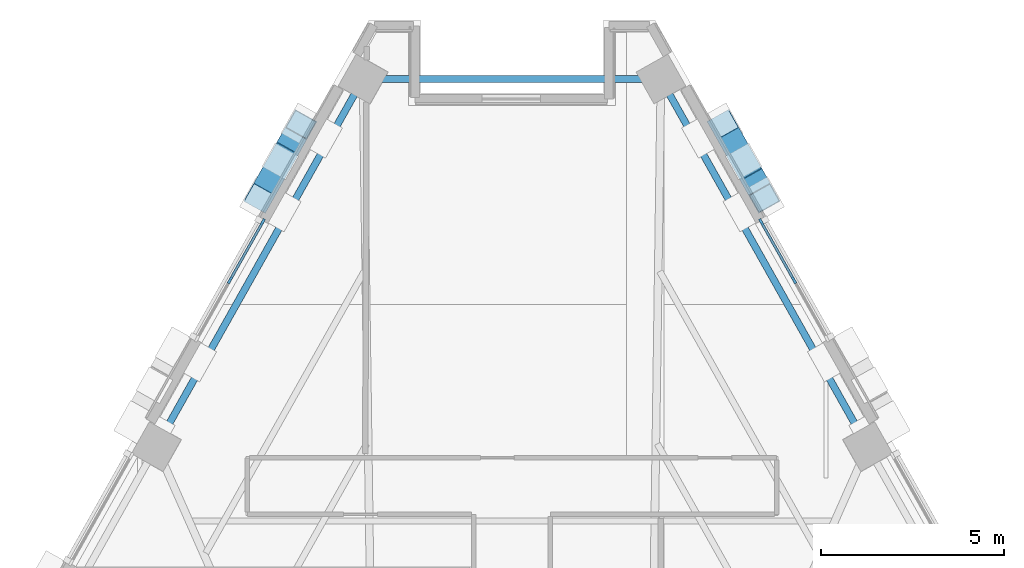
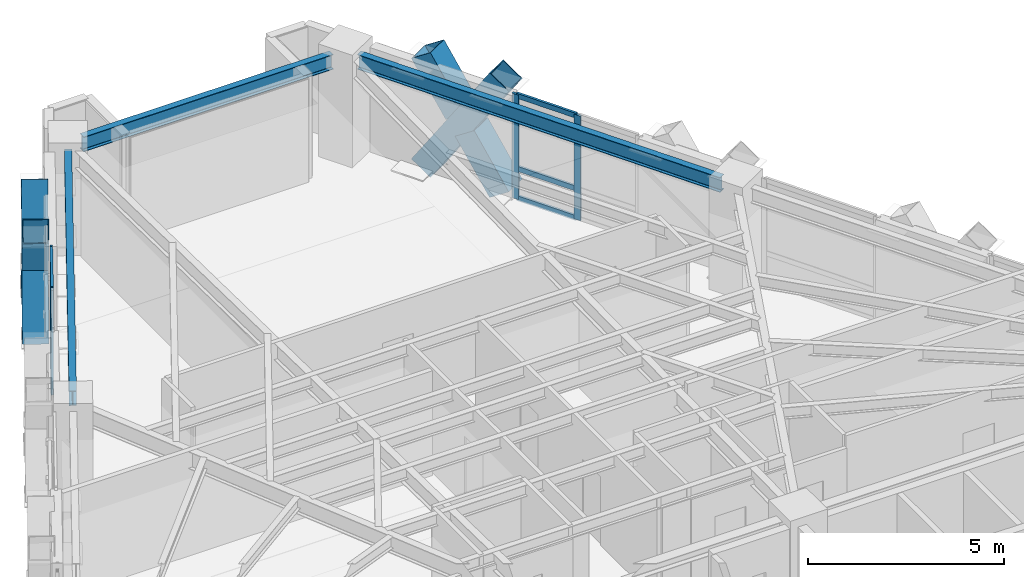
# One storey, part 5 of 14: 16 members, 3 beams, 2 elements without a shape of their own.
"""IFC4 building model written with IfcOpenShell, lengths in metres."""

from ifc_helpers import new_model, si_unit, direction, frame, origin, origin_2d, place, context, subcontext, project, spatial, rectangle, hollow_rectangle, i_section, extrude, material, material_profile, profile_set, type_object, element, aggregate, save


model = new_model("IFC4")

# Units and contexts
model_context = context("Model", 3, precision=1e-05, world=origin(), true_north=direction((0.0, 1.0)))
body_context = subcontext(model_context, "Body", "Model", "MODEL_VIEW")
ifc_project = project(units=[si_unit("LENGTHUNIT", "METRE"), si_unit("AREAUNIT", "SQUARE_METRE"), si_unit("VOLUMEUNIT", "CUBIC_METRE"), si_unit("PLANEANGLEUNIT", "RADIAN"), si_unit("MASSUNIT", "GRAM", prefix="KILO")], contexts=[model_context])

# Site, building, storey
site_placement = place(None, origin())
site = spatial("IfcSite", under=ifc_project, at=site_placement, CompositionType="ELEMENT")
building_placement = place(site_placement, origin())
building = spatial("IfcBuilding", under=site, at=building_placement, Name="Quenlor Broadcast Tower", CompositionType="ELEMENT")
storey_placement = place(building_placement, frame((0.0, 0.0, 165.0)))
storey = spatial("IfcBuildingStorey", under=building, at=storey_placement, Name="L45", CompositionType="ELEMENT", Elevation=165.0)

# Curtain wall, members
ifc_material_1 = material(Name="Architectural Terracotta and Low-E Glazing", Category="masonry")
curtain_wall_type = type_object("IfcCurtainWallType", Name="Unitised Terracotta Curtain Wall System Z3", PredefinedType="NOTDEFINED", material=ifc_material_1)
curtain_wall_1_placement = place(storey_placement, origin())
curtain_wall_1 = element("IfcCurtainWall", 1, at=curtain_wall_1_placement, inside=storey, type_object=curtain_wall_type, Name="L45 Curtain Wall CW3 (L45-NEA-G1)", PredefinedType="NOTDEFINED")
ifc_material_2 = material(Name="Aluminium 6063-T6", Category="aluminium")
ifc_material_profile_1 = material_profile(ifc_material_2, rectangle(XDim=0.070068359375, YDim=0.18994140625, at=origin_2d()))
ifc_profile_set_1 = profile_set([ifc_material_profile_1], Name="Aluminium 6063-T6 MULL70x190")
member_type_1 = type_object("IfcMemberType", Name="CW3 Aluminium Mullion MULL_CW3", PredefinedType="MULLION", material=ifc_profile_set_1)
member_1_placement = place(storey_placement, frame((6.8271484375, 14.90576171875, 0.0), z_axis=(0.0, 0.0, 1.0), x_axis=(0.871570530637, 0.490270139949, 0.0)))
member_1 = element("IfcMember", 2, at=member_1_placement, type_object=member_type_1, Name="CW3 mullion 1", PredefinedType="MULLION", context=body_context, shape_type="SweptSolid", body=[
    extrude(rectangle(XDim=0.070068359375, YDim=0.18994140625, at=origin_2d()), origin(), (0.0, 0.0, 1.0), 3.25),
])
member_2_placement = place(storey_placement, frame((7.725341796875, 13.30908203125, 0.0), z_axis=(0.0, 0.0, 1.0), x_axis=(0.871570530637, 0.490270139949, 0.0)))
member_2 = element("IfcMember", 3, at=member_2_placement, type_object=member_type_1, Name="CW3 mullion 2", PredefinedType="MULLION", context=body_context, shape_type="SweptSolid", body=[
    extrude(rectangle(XDim=0.070068359375, YDim=0.18994140625, at=origin_2d()), origin(), (0.0, 0.0, 1.0), 3.25),
])

curtain_wall_2_placement = place(storey_placement, origin())
curtain_wall_2 = element("IfcCurtainWall", 4, at=curtain_wall_2_placement, inside=storey, type_object=curtain_wall_type, Name="L45 Curtain Wall CW3 (L45-NWC-G1)", PredefinedType="NOTDEFINED")
member_3_placement = place(storey_placement, frame((-7.725341796875, 13.30908203125, 0.0), z_axis=(0.0, 0.0, 1.0), x_axis=(-0.871570530637, 0.490270139949, 0.0)))
member_3 = element("IfcMember", 5, at=member_3_placement, type_object=member_type_1, Name="CW3 mullion 2", PredefinedType="MULLION", context=body_context, shape_type="SweptSolid", body=[
    extrude(rectangle(XDim=0.070068359375, YDim=0.18994140625, at=origin_2d()), origin(), (0.0, 0.0, 1.0), 3.25),
])
member_4_placement = place(storey_placement, frame((-6.8271484375, 14.90576171875, 0.0), z_axis=(0.0, 0.0, 1.0), x_axis=(-0.871570530637, 0.490270139949, 0.0)))
member_4 = element("IfcMember", 6, at=member_4_placement, type_object=member_type_1, Name="CW3 mullion 3", PredefinedType="MULLION", context=body_context, shape_type="SweptSolid", body=[
    extrude(rectangle(XDim=0.070068359375, YDim=0.18994140625, at=origin_2d()), origin(), (0.0, 0.0, 1.0), 3.25),
])

# Member
ifc_material_3 = material(Name="Aluminium 6063-T6", Category="aluminium")
ifc_material_profile_2 = material_profile(ifc_material_3, rectangle(XDim=0.070068359375, YDim=0.155029296875, at=origin_2d()))
ifc_profile_set_2 = profile_set([ifc_material_profile_2], Name="Aluminium 6063-T6 TRAN70x155")
member_type_2 = type_object("IfcMemberType", Name="CW3 Aluminium Transom TRAN_CW3", PredefinedType="USERDEFINED", material=ifc_profile_set_2)
member_5_placement = place(storey_placement, frame((6.84423828125, 14.875244140625, 0.034912109375), z_axis=(0.490353334151, -0.871523727553, 0.0), x_axis=(0.871523727553, 0.490353334151, 0.0)))
member_5 = element("IfcMember", 7, at=member_5_placement, type_object=member_type_2, Name="CW3 transom 1.1", ObjectType="TRANSOM", PredefinedType="USERDEFINED", context=body_context, shape_type="SweptSolid", body=[
    extrude(rectangle(XDim=0.070068359375, YDim=0.155029296875, at=origin_2d()), origin(), (0.0, 0.0, 1.0), 1.761962890625),
])

member_6_placement = place(storey_placement, frame((6.84423828125, 14.875244140625, 0.949951171875), z_axis=(0.490353334151, -0.871523727553, 0.0), x_axis=(0.871523727553, 0.490353334151, 0.0)))
member_6 = element("IfcMember", 8, at=member_6_placement, type_object=member_type_2, Name="CW3 transom 1.2", ObjectType="TRANSOM", PredefinedType="USERDEFINED", context=body_context, shape_type="SweptSolid", body=[
    extrude(rectangle(XDim=0.070068359375, YDim=0.155029296875, at=origin_2d()), origin(), (0.0, 0.0, 1.0), 1.761962890625),
])

member_7_placement = place(storey_placement, frame((6.84423828125, 14.875244140625, 3.215087890625), z_axis=(0.490353334151, -0.871523727553, 0.0), x_axis=(0.871523727553, 0.490353334151, 0.0)))
member_7 = element("IfcMember", 9, at=member_7_placement, type_object=member_type_2, Name="CW3 transom 1.3", ObjectType="TRANSOM", PredefinedType="USERDEFINED", context=body_context, shape_type="SweptSolid", body=[
    extrude(rectangle(XDim=0.070068359375, YDim=0.155029296875, at=origin_2d()), origin(), (0.0, 0.0, 1.0), 1.761962890625),
])

aggregate(curtain_wall_1, [member_1, member_2, member_5, member_6, member_7])

member_8_placement = place(storey_placement, frame((-7.708251953125, 13.339599609375, 0.034912109375), z_axis=(0.490353334151, 0.871523727553, 0.0), x_axis=(-0.871523727553, 0.490353334151, 0.0)))
member_8 = element("IfcMember", 10, at=member_8_placement, type_object=member_type_2, Name="CW3 transom 2.1", ObjectType="TRANSOM", PredefinedType="USERDEFINED", context=body_context, shape_type="SweptSolid", body=[
    extrude(rectangle(XDim=0.070068359375, YDim=0.155029296875, at=origin_2d()), origin(), (0.0, 0.0, 1.0), 1.761962890625),
])

member_9_placement = place(storey_placement, frame((-7.708251953125, 13.339599609375, 0.949951171875), z_axis=(0.490353334151, 0.871523727553, 0.0), x_axis=(-0.871523727553, 0.490353334151, 0.0)))
member_9 = element("IfcMember", 11, at=member_9_placement, type_object=member_type_2, Name="CW3 transom 2.2", ObjectType="TRANSOM", PredefinedType="USERDEFINED", context=body_context, shape_type="SweptSolid", body=[
    extrude(rectangle(XDim=0.070068359375, YDim=0.155029296875, at=origin_2d()), origin(), (0.0, 0.0, 1.0), 1.761962890625),
])

member_10_placement = place(storey_placement, frame((-7.708251953125, 13.339599609375, 3.215087890625), z_axis=(0.490353334151, 0.871523727553, 0.0), x_axis=(-0.871523727553, 0.490353334151, 0.0)))
member_10 = element("IfcMember", 12, at=member_10_placement, type_object=member_type_2, Name="CW3 transom 2.3", ObjectType="TRANSOM", PredefinedType="USERDEFINED", context=body_context, shape_type="SweptSolid", body=[
    extrude(rectangle(XDim=0.070068359375, YDim=0.155029296875, at=origin_2d()), origin(), (0.0, 0.0, 1.0), 1.761962890625),
])

aggregate(curtain_wall_2, [member_3, member_4, member_8, member_9, member_10])

# Members
ifc_material_4 = material(Name="Steel S355", Category="steel")
ifc_material_profile_3 = material_profile(ifc_material_4, hollow_rectangle(XDim=0.679931640625, YDim=0.679931640625, WallThickness=0.02490234375, at=origin_2d()))
ifc_profile_set_3 = profile_set([ifc_material_profile_3], Name="Steel S355 RHS680x680x25")
member_type_3 = type_object("IfcMemberType", Name="Perimeter Diagonal Lattice Brace Z3-Z4 Steel S355 RHS680x25", PredefinedType="BRACE", material=ifc_profile_set_3)
member_11_placement = place(storey_placement, frame((5.77783203125, 17.5771484375, -0.1201171875), z_axis=(0.2705491942, -0.481008661973, 0.833926735766), x_axis=(0.871589611547, 0.490236217596, 0.0)))
element("IfcMember", 13, at=member_11_placement, inside=storey, type_object=member_type_3, Name="L45 Perimeter Diamond Lattice NE-C1XA", PredefinedType="BRACE", context=body_context, shape_type="SweptSolid", body=[
    extrude(hollow_rectangle(XDim=0.679931640625, YDim=0.679931640625, WallThickness=0.02490234375, at=origin_2d()), origin(), (0.0, 0.0, 1.0), 4.197021484375),
])
for number, where, z_axis, x_axis, name in (
    (14, (6.913330078125, 15.558349609375, -0.1201171875), (-0.270616433058, 0.481007832697, 0.833905396938), (-0.871537189362, -0.490329407194, 0.0), "L45 Perimeter Diamond Lattice NE-C1XB1"),
    (15, (6.278076171875, 16.68798828125, 1.83837890625), (-0.270616433058, 0.481007832697, 0.833905396938), (-0.871537189362, -0.490329407194, 0.0), "L45 Perimeter Diamond Lattice NE-C1XB2"),
):
    element("IfcMember", number, at=place(storey_placement, frame(where, z_axis=z_axis, x_axis=x_axis)), inside=storey, type_object=member_type_3, Name=name, PredefinedType="BRACE", context=body_context, shape_type="SweptSolid", body=[
        extrude(hollow_rectangle(XDim=0.679931640625, YDim=0.679931640625, WallThickness=0.02490234375, at=origin_2d()), origin(), (0.0, 0.0, 1.0), 1.8486328125),
    ])
member_12_placement = place(storey_placement, frame((-6.913330078125, 15.558349609375, -0.1201171875), z_axis=(0.2705491942, 0.481008661973, 0.833926735766), x_axis=(-0.871589611547, 0.490236217596, 0.0)))
element("IfcMember", 16, at=member_12_placement, inside=storey, type_object=member_type_3, Name="L45 Perimeter Diamond Lattice NW-C5XA", PredefinedType="BRACE", context=body_context, shape_type="SweptSolid", body=[
    extrude(hollow_rectangle(XDim=0.679931640625, YDim=0.679931640625, WallThickness=0.02490234375, at=origin_2d()), origin(), (0.0, 0.0, 1.0), 4.197021484375),
])
for number, where, z_axis, x_axis, name in (
    (17, (-5.77783203125, 17.5771484375, -0.1201171875), (-0.270616433058, -0.481007832697, 0.833905396938), (0.871537189362, -0.490329407194, 0.0), "L45 Perimeter Diamond Lattice NW-C5XB1"),
    (18, (-6.4130859375, 16.447509765625, 1.83837890625), (-0.270616433058, -0.481007832697, 0.833905396938), (0.871537189362, -0.490329407194, 0.0), "L45 Perimeter Diamond Lattice NW-C5XB2"),
):
    element("IfcMember", number, at=place(storey_placement, frame(where, z_axis=z_axis, x_axis=x_axis)), inside=storey, type_object=member_type_3, Name=name, PredefinedType="BRACE", context=body_context, shape_type="SweptSolid", body=[
        extrude(hollow_rectangle(XDim=0.679931640625, YDim=0.679931640625, WallThickness=0.02490234375, at=origin_2d()), origin(), (0.0, 0.0, 1.0), 1.8486328125),
    ])

# Beams
ifc_material_5 = material(Name="Steel S355", Category="steel")
ifc_material_profile_4 = material_profile(ifc_material_5, i_section(OverallWidth=0.19091796875, OverallDepth=0.46044921875, WebThickness=0.010009765625, FlangeThickness=0.01611328125, FilletRadius=0.011474609375, at=origin_2d()))
ifc_profile_set_4 = profile_set([ifc_material_profile_4], Name="Steel S355 460UB82.1")
beam_type = type_object("IfcBeamType", Name="Perimeter Spandrel Beam Z3 Steel S355 460UB82.1", PredefinedType="SPANDREL", material=ifc_profile_set_4)
beam_1_placement = place(storey_placement, frame((9.5419921875, 9.110595703125, 3.019775390625), z_axis=(-0.490257999604, 0.871577359633, 0.0), x_axis=(-0.871577359633, -0.490257999604, 0.0)))
element("IfcBeam", 19, at=beam_1_placement, inside=storey, type_object=beam_type, Name="L45 Spandrel Beam NE3-NE4", PredefinedType="SPANDREL", context=body_context, shape_type="SweptSolid", body=[
    extrude(i_section(OverallWidth=0.19091796875, OverallDepth=0.46044921875, WebThickness=0.010009765625, FlangeThickness=0.01611328125, FilletRadius=0.011474609375, at=origin_2d()), origin(), (0.0, 0.0, 1.0), 10.732666015625),
])
beam_2_placement = place(storey_placement, frame((3.669189453125, 18.822021484375, 3.019775390625), z_axis=(-1.0, 0.0, 0.0), x_axis=(0.0, -1.0, 0.0)))
element("IfcBeam", 20, at=beam_2_placement, inside=storey, type_object=beam_type, Name="L45 Spandrel Beam NE4-NW1", PredefinedType="SPANDREL", context=body_context, shape_type="SweptSolid", body=[
    extrude(i_section(OverallWidth=0.19091796875, OverallDepth=0.46044921875, WebThickness=0.010009765625, FlangeThickness=0.01611328125, FilletRadius=0.011474609375, at=origin_2d()), origin(), (0.0, 0.0, 1.0), 7.33837890625),
])
beam_3_placement = place(storey_placement, frame((-4.2802734375, 18.46484375, 3.019775390625), z_axis=(-0.490257999604, -0.871577359633, 0.0), x_axis=(0.871577359633, -0.490257999604, 0.0)))
element("IfcBeam", 21, at=beam_3_placement, inside=storey, type_object=beam_type, Name="L45 Spandrel Beam NW1-NW2", PredefinedType="SPANDREL", context=body_context, shape_type="SweptSolid", body=[
    extrude(i_section(OverallWidth=0.19091796875, OverallDepth=0.46044921875, WebThickness=0.010009765625, FlangeThickness=0.01611328125, FilletRadius=0.011474609375, at=origin_2d()), origin(), (0.0, 0.0, 1.0), 10.732666015625),
])

save(model, "model.ifc")
